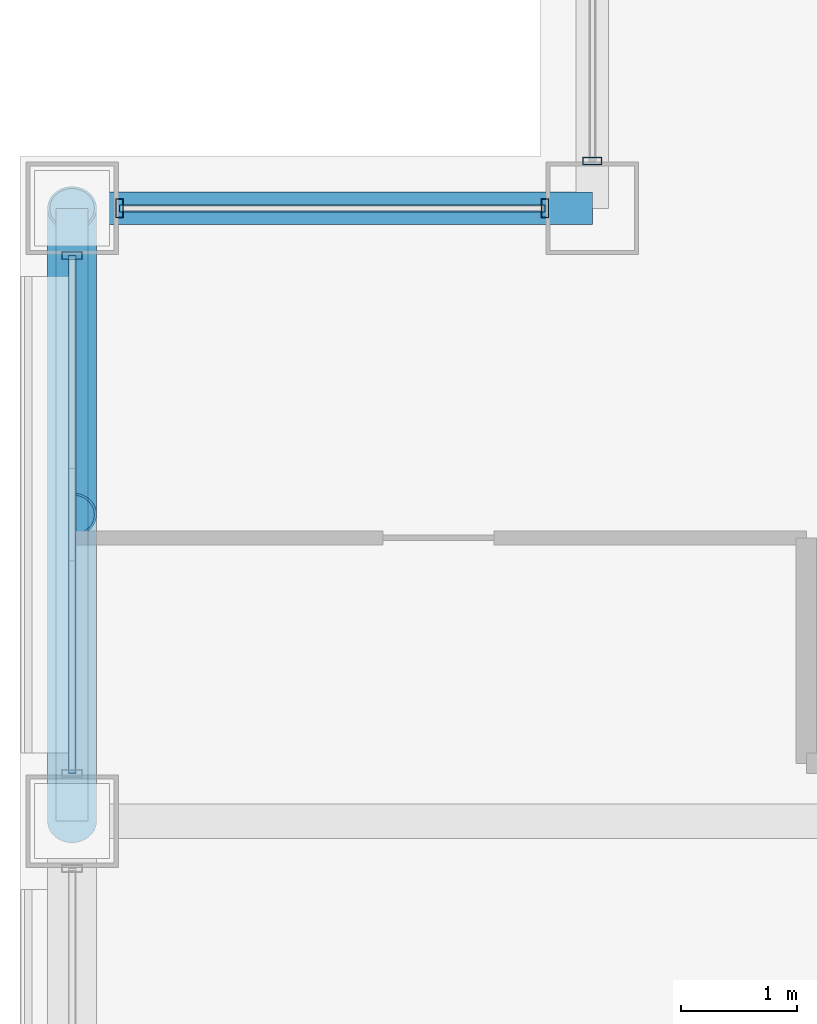
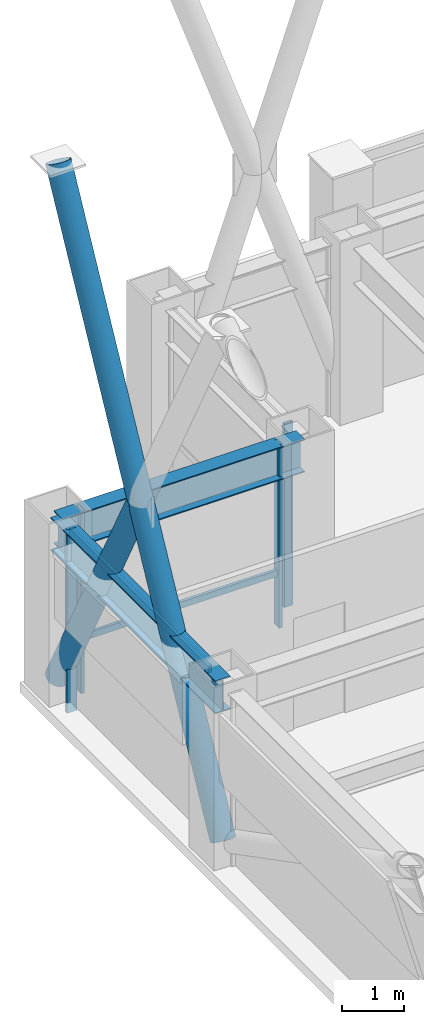
# One storey, part 18 of 35: 8 members, 2 beams, 3 elements without a shape of their own.
"""IFC4 building model written with IfcOpenShell, lengths in metres."""

from ifc_helpers import new_model, si_unit, direction, frame, origin, origin_2d, place, context, subcontext, project, spatial, hollow_rectangle, hollow_circle, i_section, extrude, material, layer, layer_set, material_profile, profile_set, type_object, element, aggregate, save


model = new_model("IFC4")

# Units and contexts
model_context = context("Model", 3, precision=1e-05, world=origin(), true_north=direction((0.0, 1.0)))
body_context = subcontext(model_context, "Body", "Model", "MODEL_VIEW")
ifc_project = project(units=[si_unit("LENGTHUNIT", "METRE"), si_unit("AREAUNIT", "SQUARE_METRE"), si_unit("VOLUMEUNIT", "CUBIC_METRE"), si_unit("PLANEANGLEUNIT", "RADIAN"), si_unit("MASSUNIT", "GRAM", prefix="KILO")], contexts=[model_context])

# Site, building, storey
site_placement = place(None, origin())
site = spatial("IfcSite", under=ifc_project, at=site_placement, CompositionType="ELEMENT")
building_placement = place(site_placement, origin())
building = spatial("IfcBuilding", under=site, at=building_placement, Name="Brelmoor Portico Tower", CompositionType="ELEMENT")
storey_placement = place(building_placement, frame((0.0, 0.0, 131.39990234375)))
storey = spatial("IfcBuildingStorey", under=building, at=storey_placement, Name="L34", CompositionType="ELEMENT", Elevation=131.39990234375)

# Beams
ifc_material_1 = material(Name="Steel Q355B", Category="steel")
ifc_material_profile_1 = material_profile(ifc_material_1, i_section(OverallWidth=0.280029296875, OverallDepth=0.64990234375, WebThickness=0.012939453125, FlangeThickness=0.02197265625, at=origin_2d()), Name="HN 650x280x13x22")
ifc_profile_set_1 = profile_set([ifc_material_profile_1], Name="Steel Q355B")
beam_type = type_object("IfcBeamType", Name="BM-SP-650", PredefinedType="SPANDREL", material=ifc_profile_set_1)
beam_1_placement = place(storey_placement, frame((-22.550048828125, 15.050048828125, 3.0751953125), z_axis=(1.0, 0.0, 0.0), x_axis=(0.0, 1.0, 0.0)))
element("IfcBeam", 1, at=beam_1_placement, inside=storey, type_object=beam_type, Name="L34 Perimeter Spandrel Beam SP-08", PredefinedType="SPANDREL", context=body_context, shape_type="SweptSolid", body=[
    extrude(i_section(OverallWidth=0.280029296875, OverallDepth=0.64990234375, WebThickness=0.012939453125, FlangeThickness=0.02197265625, at=origin_2d()), origin(), (0.0, 0.0, 1.0), 4.5),
])
beam_2_placement = place(storey_placement, frame((-22.550048828125, 9.75, 3.0751953125), z_axis=(0.0, 1.0, 0.0), x_axis=(-1.0, 0.0, 0.0)))
element("IfcBeam", 2, at=beam_2_placement, inside=storey, type_object=beam_type, Name="L34 Perimeter Spandrel Beam SP-17", PredefinedType="SPANDREL", context=body_context, shape_type="SweptSolid", body=[
    extrude(i_section(OverallWidth=0.280029296875, OverallDepth=0.64990234375, WebThickness=0.012939453125, FlangeThickness=0.02197265625, at=origin_2d()), origin(), (0.0, 0.0, 1.0), 5.300048828125),
])

# Members
ifc_material_profile_2 = material_profile(ifc_material_1, hollow_circle(Radius=0.212890625, WallThickness=0.02001953125, at=origin_2d()), Name="CHS 426x20")
ifc_profile_set_2 = profile_set([ifc_material_profile_2], Name="Steel Q355B")
member_type_1 = type_object("IfcMemberType", Name="MB-BELT-DIAG1", PredefinedType="BRACE", material=ifc_profile_set_2)
member_1_placement = place(storey_placement, frame((-22.550048828125, 9.75, 0.25), z_axis=(0.0, 0.464661902242, 0.885488179822), x_axis=(-1.0, 0.0, 0.0)))
element("IfcMember", 3, at=member_1_placement, inside=storey, type_object=member_type_1, Name="L34 Continuous Mega-X Brace 081A", PredefinedType="BRACE", context=body_context, shape_type="SweptSolid", body=[
    extrude(hollow_circle(Radius=0.212890625, WallThickness=0.02001953125, at=origin_2d()), origin(), (0.0, 0.0, 1.0), 11.40625),
])
member_2_placement = place(storey_placement, frame((-22.550048828125, 15.050048828125, 0.25), z_axis=(0.0, -0.464678684729, 0.885479372972), x_axis=(1.0, 0.0, 0.0)))
element("IfcMember", 4, at=member_2_placement, inside=storey, type_object=member_type_1, Name="L34 Split Mega-X Brace 081B1", PredefinedType="BRACE", context=body_context, shape_type="SweptSolid", body=[
    extrude(hollow_circle(Radius=0.212890625, WallThickness=0.02001953125, at=origin_2d()), origin(), (0.0, 0.0, 1.0), 5.703125),
])

# Curtain wall, members
ifc_material_2 = material(Name="Anodised Aluminium Alloy 6063-T6", Category="aluminium")
ifc_layer_1 = layer(ifc_material_2, 0.179931640625)
ifc_layer_set_1 = layer_set([ifc_layer_1], Name="Anodised Aluminium Alloy 6063-T6")
curtain_wall_type_1 = type_object("IfcCurtainWallType", Name="CW-NOTCH-CHAMFER", PredefinedType="NOTDEFINED", material=ifc_layer_set_1)
curtain_wall_1_placement = place(storey_placement, origin())
curtain_wall_1 = element("IfcCurtainWall", 5, at=curtain_wall_1_placement, inside=storey, type_object=curtain_wall_type_1, Name="L34 Curtain Wall CWN-L34-NWH", PredefinedType="NOTDEFINED")
ifc_material_profile_3 = material_profile(ifc_material_2, hollow_rectangle(XDim=0.06494140625, YDim=0.1650390625, WallThickness=0.00390625, at=origin_2d()), Name="ALU MULLION 65x165")
ifc_profile_set_3 = profile_set([ifc_material_profile_3], Name="Anodised Aluminium Alloy 6063-T6")
member_type_2 = type_object("IfcMemberType", Name="MB-CW-MULL-165", PredefinedType="MULLION", material=ifc_profile_set_3)
member_3_placement = place(storey_placement, frame((-22.139892578125, 15.050048828125, -0.199951171875), z_axis=(0.0, 0.0, 1.0), x_axis=(1.0, 0.0, 0.0)))
member_3 = element("IfcMember", 6, at=member_3_placement, type_object=member_type_2, Name="CWN-L34-NWH Mullion 00", PredefinedType="MULLION", context=body_context, shape_type="SweptSolid", body=[
    extrude(hollow_rectangle(XDim=0.06494140625, YDim=0.1650390625, WallThickness=0.00390625, at=origin_2d()), origin(), (0.0, 0.0, 1.0), 3.60009765625),
])
member_4_placement = place(storey_placement, frame((-18.4599609375, 15.050048828125, -0.199951171875), z_axis=(0.0, 0.0, 1.0), x_axis=(1.0, 0.0, 0.0)))
member_4 = element("IfcMember", 7, at=member_4_placement, type_object=member_type_2, Name="CWN-L34-NWH Mullion 01", PredefinedType="MULLION", context=body_context, shape_type="SweptSolid", body=[
    extrude(hollow_rectangle(XDim=0.06494140625, YDim=0.1650390625, WallThickness=0.00390625, at=origin_2d()), origin(), (0.0, 0.0, 1.0), 3.60009765625),
])

# Curtain wall, member
curtain_wall_2_placement = place(storey_placement, origin())
curtain_wall_2 = element("IfcCurtainWall", 8, at=curtain_wall_2_placement, inside=storey, type_object=curtain_wall_type_1, Name="L34 Curtain Wall CWN-L34-NWV", PredefinedType="NOTDEFINED")
member_5_placement = place(storey_placement, frame((-18.050048828125, 15.4599609375, -0.199951171875), z_axis=(0.0, 0.0, 1.0), x_axis=(0.0, 1.0, 0.0)))
member_5 = element("IfcMember", 9, at=member_5_placement, type_object=member_type_2, Name="CWN-L34-NWV Mullion 00", PredefinedType="MULLION", context=body_context, shape_type="SweptSolid", body=[
    extrude(hollow_rectangle(XDim=0.06494140625, YDim=0.1650390625, WallThickness=0.00390625, at=origin_2d()), origin(), (0.0, 0.0, 1.0), 3.60009765625),
])
aggregate(curtain_wall_2, [member_5])

ifc_layer_2 = layer(ifc_material_2, 0.179931640625)
ifc_layer_set_2 = layer_set([ifc_layer_2], Name="Anodised Aluminium Alloy 6063-T6")
curtain_wall_type_2 = type_object("IfcCurtainWallType", Name="CW-TOWER-Z2-XB", PredefinedType="NOTDEFINED", material=ifc_layer_set_2)
curtain_wall_3_placement = place(storey_placement, origin())
curtain_wall_3 = element("IfcCurtainWall", 10, at=curtain_wall_3_placement, inside=storey, type_object=curtain_wall_type_2, Name="L34 Curtain Wall CW-L34-03-3", PredefinedType="NOTDEFINED")
ifc_material_profile_4 = material_profile(ifc_material_2, hollow_rectangle(XDim=0.06494140625, YDim=0.179931640625, WallThickness=0.00390625, at=origin_2d()), Name="ALU MULLION 65x180")
ifc_profile_set_4 = profile_set([ifc_material_profile_4], Name="Anodised Aluminium Alloy 6063-T6")
member_type_3 = type_object("IfcMemberType", Name="MB-CW-MULL-180", PredefinedType="MULLION", material=ifc_profile_set_4)
member_6_placement = place(storey_placement, frame((-22.550048828125, 14.639892578125, -0.199951171875), z_axis=(0.0, 0.0, 1.0), x_axis=(0.0, 1.0, 0.0)))
member_6 = element("IfcMember", 11, at=member_6_placement, type_object=member_type_3, Name="CW-L34-03-3 Mullion 01", PredefinedType="MULLION", context=body_context, shape_type="SweptSolid", body=[
    extrude(hollow_rectangle(XDim=0.06494140625, YDim=0.179931640625, WallThickness=0.00390625, at=origin_2d()), origin(), (0.0, 0.0, 1.0), 3.60009765625),
])

# Member
ifc_material_profile_5 = material_profile(ifc_material_2, hollow_rectangle(XDim=0.06005859375, YDim=0.125, WallThickness=0.00341796875, at=origin_2d()), Name="ALU TRANSOM 60x125")
ifc_profile_set_5 = profile_set([ifc_material_profile_5], Name="Anodised Aluminium Alloy 6063-T6")
member_type_4 = type_object("IfcMemberType", Name="MB-CW-TRAN-125", PredefinedType="USERDEFINED", material=ifc_profile_set_5)
member_7_placement = place(storey_placement, frame((-22.139892578125, 15.050048828125, 0.85009765625), z_axis=(1.0, 0.0, 0.0), x_axis=(0.0, 1.0, 0.0)))
member_7 = element("IfcMember", 12, at=member_7_placement, type_object=member_type_4, Name="CWN-L34-NWH Transom 1-00", ObjectType="TRANSOM", PredefinedType="USERDEFINED", context=body_context, shape_type="SweptSolid", body=[
    extrude(hollow_rectangle(XDim=0.06005859375, YDim=0.125, WallThickness=0.00341796875, at=origin_2d()), origin(), (0.0, 0.0, 1.0), 3.679931640625),
])

aggregate(curtain_wall_1, [member_3, member_4, member_7])

ifc_material_profile_6 = material_profile(ifc_material_2, hollow_rectangle(XDim=0.06494140625, YDim=0.139892578125, WallThickness=0.00390625, at=origin_2d()), Name="ALU TRANSOM 65x140")
ifc_profile_set_6 = profile_set([ifc_material_profile_6], Name="Anodised Aluminium Alloy 6063-T6")
member_type_5 = type_object("IfcMemberType", Name="MB-CW-TRAN-140", PredefinedType="USERDEFINED", material=ifc_profile_set_6)
member_8_placement = place(storey_placement, frame((-22.550048828125, 10.159912109375, 3.330078125), z_axis=(0.0, 1.0, 0.0), x_axis=(-1.0, 0.0, 0.0)))
member_8 = element("IfcMember", 13, at=member_8_placement, type_object=member_type_5, Name="CW-L34-03-3 Transom 1-00", ObjectType="TRANSOM", PredefinedType="USERDEFINED", context=body_context, shape_type="SweptSolid", body=[
    extrude(hollow_rectangle(XDim=0.06494140625, YDim=0.139892578125, WallThickness=0.00390625, at=origin_2d()), origin(), (0.0, 0.0, 1.0), 4.47998046875),
])

aggregate(curtain_wall_3, [member_6, member_8])

save(model, "model.ifc")
